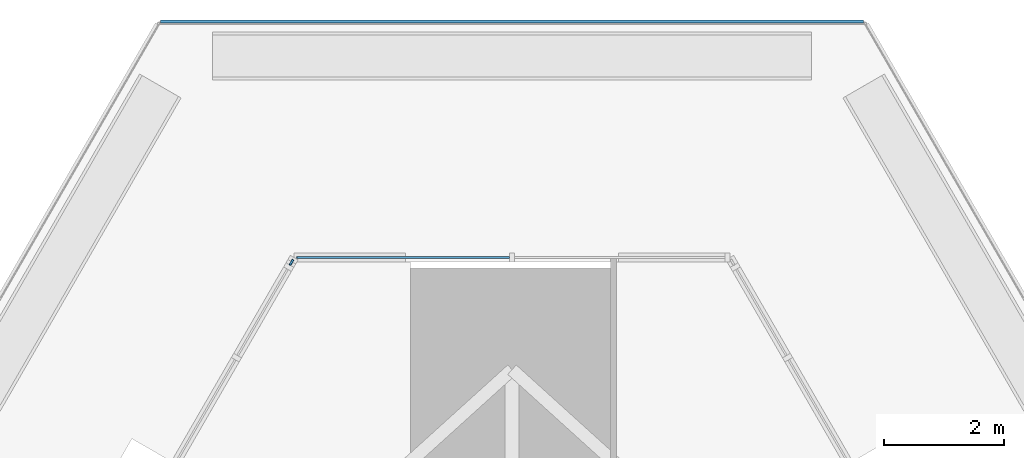
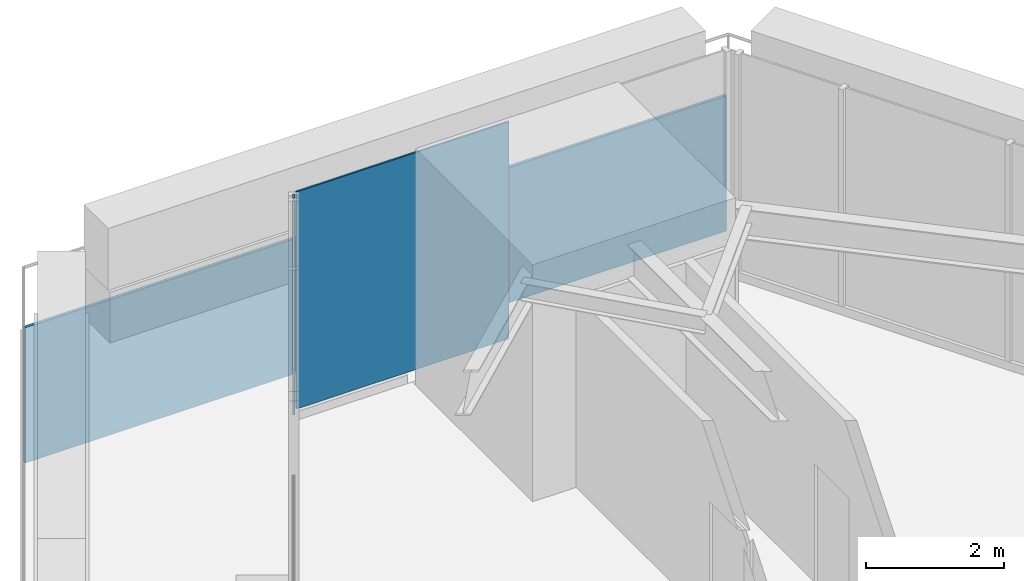
# One storey, part 17 of 29: 3 plates, 2 elements without a shape of their own.
"""IFC4 building model written with IfcOpenShell, lengths in metres."""

from ifc_helpers import new_model, si_unit, direction, frame, origin, place, context, subcontext, project, spatial, polyline, outline, extrude, material, layer, layer_set, type_object, element, aggregate, save


model = new_model("IFC4")

# Units and contexts
model_context = context("Model", 3, precision=1e-05, world=origin(), true_north=direction((0.0, 1.0)))
body_context = subcontext(model_context, "Body", "Model", "MODEL_VIEW")
ifc_project = project(units=[si_unit("LENGTHUNIT", "METRE"), si_unit("AREAUNIT", "SQUARE_METRE"), si_unit("VOLUMEUNIT", "CUBIC_METRE"), si_unit("PLANEANGLEUNIT", "RADIAN"), si_unit("MASSUNIT", "GRAM", prefix="KILO")], contexts=[model_context])

# Site, building, storey
site_placement = place(None, origin())
site = spatial("IfcSite", under=ifc_project, at=site_placement, CompositionType="ELEMENT")
building_placement = place(site_placement, origin())
building = spatial("IfcBuilding", under=site, at=building_placement, Name="Firuza Gate Tower and Library", CompositionType="ELEMENT")
storey_placement = place(building_placement, frame((0.0, 0.0, 82.0)))
storey = spatial("IfcBuildingStorey", under=building, at=storey_placement, Name="L18", CompositionType="ELEMENT", Elevation=82.0)

# Curtain wall, plate
ifc_material_1 = material(Name="Aluminium 6063-T6", Category="aluminium")
ifc_layer_1 = layer(ifc_material_1, 0.14990234375)
ifc_layer_set_1 = layer_set([ifc_layer_1], Name="Corner curtain wall, chamfers")
curtain_wall_type_1 = type_object("IfcCurtainWallType", Name="Corner curtain wall, chamfers", PredefinedType="NOTDEFINED", material=ifc_layer_set_1)
placement = place(storey_placement, origin())
curtain_wall_1 = element("IfcCurtainWall", 1, at=placement, inside=storey, type_object=curtain_wall_type_1, Name="CW4 L18 N corner", PredefinedType="NOTDEFINED")
ifc_material_2 = material(Name="Fritted glass", Category="glass")
ifc_layer_2 = layer(ifc_material_2, 0.030029296875)
ifc_layer_set_2 = layer_set([ifc_layer_2], Name="Fritted glass unit, corners")
plate_type_1 = type_object("IfcPlateType", Name="Fritted glass unit, corners", PredefinedType="CURTAIN_PANEL", material=ifc_layer_set_2)
plate_1_placement = place(storey_placement, frame((74.9599609375, 109.856201171875, 0.14990234375), z_axis=(0.0, 1.0, 0.0), x_axis=(-1.0, 0.0, 0.0)))
plate_1 = element("IfcPlate", 2, at=plate_1_placement, type_object=plate_type_1, Name="Glass unit", PredefinedType="CURTAIN_PANEL", context=body_context, shape_type="SweptSolid", body=[
    extrude(outline(polyline([(0.0, 0.0), (3.563232421875, 0.0), (3.563232421875, 3.85009765625), (0.0, 3.85009765625), (0.0, 0.0)])), origin(), (0.0, 0.0, -1.0), 0.030029296875),
])
aggregate(curtain_wall_1, [plate_1])

ifc_material_3 = material(Name="Aluminium 6063-T6", Category="aluminium")
ifc_layer_3 = layer(ifc_material_3, 0.14990234375)
ifc_layer_set_3 = layer_set([ifc_layer_3], Name="Unitised curtain wall, offices")
curtain_wall_type_2 = type_object("IfcCurtainWallType", Name="Unitised curtain wall, offices", PredefinedType="NOTDEFINED", material=ifc_layer_set_3)
curtain_wall_2 = element("IfcCurtainWall", 3, at=placement, inside=storey, type_object=curtain_wall_type_2, Name="CW1 L18 W face", PredefinedType="NOTDEFINED")
ifc_material_4 = material(Name="Glazed ceramic tile")
ifc_layer_4 = layer(ifc_material_4, 0.030029296875)
ifc_layer_set_4 = layer_set([ifc_layer_4], Name="Opaque ceramic panel, offices")
plate_type_2 = type_object("IfcPlateType", Name="Opaque ceramic panel, offices", PredefinedType="CURTAIN_PANEL", material=ifc_layer_set_4)
plate_2_placement = place(storey_placement, frame((71.32373046875, 109.81396484375, 0.14990234375), z_axis=(-0.865910493709, 0.500198977292, 0.0), x_axis=(-0.500198977292, -0.865910493709, 0.0)))
plate_2 = element("IfcPlate", 4, at=plate_2_placement, type_object=plate_type_2, Name="Opaque ceramic panel", PredefinedType="CURTAIN_PANEL", context=body_context, shape_type="SweptSolid", body=[
    extrude(outline(polyline([(0.0, 0.0), (0.10347444686944572, 0.0), (0.10347444686944572, 3.850097656250001), (0.0, 3.850097656250001), (0.0, 0.0)])), origin(), (0.0, 0.0, -1.0), 0.030029296875),
])
aggregate(curtain_wall_2, [plate_2])

# Plate
ifc_material_5 = material(Name="Aluminium 6063-T6", Category="aluminium")
ifc_layer_5 = layer(ifc_material_5, 0.050048828125)
ifc_layer_set_5 = layer_set([ifc_layer_5], Name="Tray fascia panel 50")
plate_type_3 = type_object("IfcPlateType", Name="Tray fascia panel 50", PredefinedType="SHEET", material=ifc_layer_set_5)
plate_3_placement = place(storey_placement, frame((80.87890625, 113.81591796875, -2.39990234375), z_axis=(0.0, 1.0, 0.0), x_axis=(-1.0, 0.0, 0.0)))
element("IfcPlate", 5, at=plate_3_placement, inside=storey, type_object=plate_type_3, Name="Tray fascia L18 3", PredefinedType="SHEET", context=body_context, shape_type="SweptSolid", body=[
    extrude(outline(polyline([(0.0, 0.0), (11.7578125, 0.0), (11.7578125, 2.39990234375), (0.0, 2.39990234375), (0.0, 0.0)])), origin(), (0.0, 0.0, -1.0), 0.050048828125),
])

save(model, "model.ifc")
